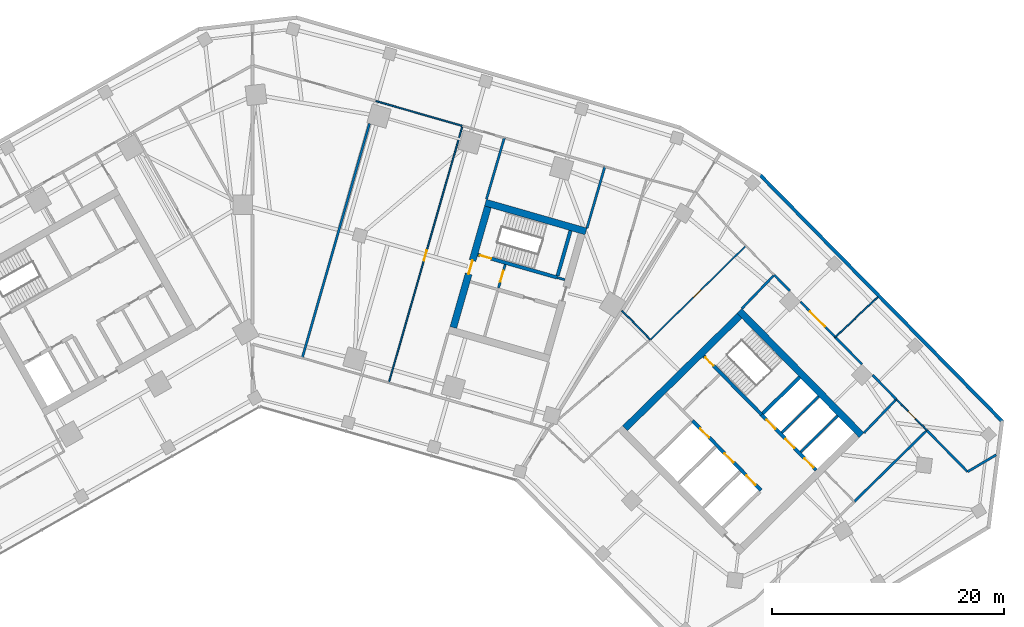
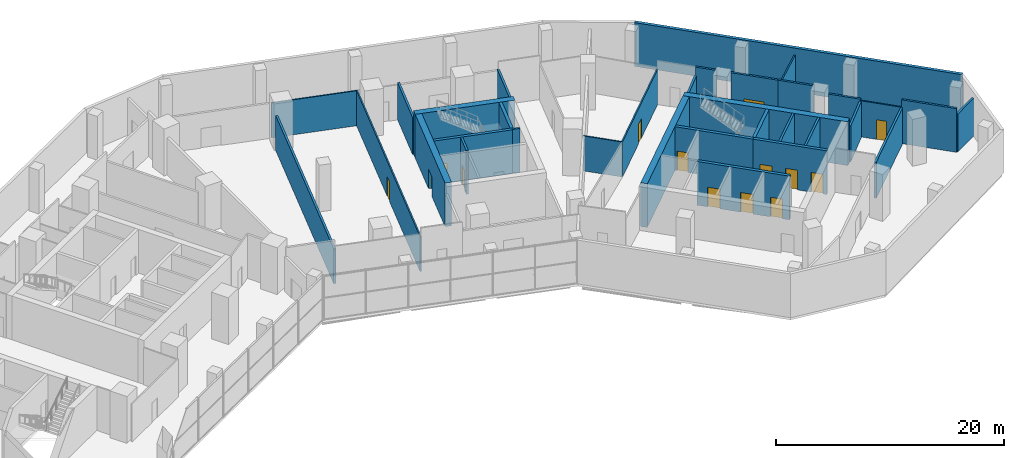
# One storey, part 12 of 16: 33 walls, 14 doors, 14 openings.
"""IFC4 building model written with IfcOpenShell, lengths in metres."""

import ifcopenshell
import ifcopenshell.guid

model = None  # the IFC model being written
_history = None  # IfcOwnerHistory: only IFC2X3 demands one
_inside = {}  # id of a spatial element -> (the spatial element, [elements in it])
_under = {}  # id of a project, library or spatial element -> (it, [spatial elements below it])
_declared = {}  # id of a project -> (the project, [libraries it declares])
_typed = {}  # id of a type object -> (the type object, [elements of that type])
_made_of = {}  # id of a material, layer set ... -> (it, [elements and type objects made of it])


def new_model(schema):
    """Start an empty IFC model of exactly this schema.

    Asked for "IFC4X3", IfcOpenShell would pick the latest addendum, in which some entities
    have other attributes; the version numbers below select the first issue.
    IFC2X3 requires an IfcOwnerHistory on every rooted entity: one is made here for all.
    """
    global model, _history
    if schema == "IFC4X3":
        model = ifcopenshell.file(schema_version=(4, 3, 0, 0))
    else:
        model = ifcopenshell.file(schema=schema)
    _inside.clear()
    _under.clear()
    _declared.clear()
    _typed.clear()
    _made_of.clear()
    _history = None
    if model.schema == "IFC2X3":
        org = make("IfcOrganization", Name="unknown")
        user = make(
            "IfcPersonAndOrganization",
            ThePerson=make("IfcPerson", FamilyName="unknown"),
            TheOrganization=org,
        )
        app = make(
            "IfcApplication",
            ApplicationDeveloper=org,
            Version="unknown",
            ApplicationFullName="unknown",
            ApplicationIdentifier="unknown",
        )
        _history = make(
            "IfcOwnerHistory",
            OwningUser=user,
            OwningApplication=app,
            ChangeAction="ADDED",
            CreationDate=0,
        )
    return model


def make(cls, **values):
    """One entity of the class cls with the attributes given. An attribute that is None is left unset."""
    return model.create_entity(
        cls, **{name: value for name, value in values.items() if value is not None}
    )


def rooted(cls, **values):
    """An entity with a GlobalId (a new one), such as an element, a storey or a relation."""
    return make(cls, GlobalId=ifcopenshell.guid.new(), OwnerHistory=_history, **values)


def si_unit(unit_type, name, prefix=None):
    """IfcSIUnit, for example si_unit("LENGTHUNIT", "METRE", prefix="MILLI")."""
    return make("IfcSIUnit", UnitType=unit_type, Prefix=prefix, Name=name)


def assignment(units):
    """IfcUnitAssignment: the units of a project."""
    return None if units is None else make("IfcUnitAssignment", Units=units)


def point(xyz):
    """IfcCartesianPoint."""
    return None if xyz is None else make("IfcCartesianPoint", Coordinates=xyz)


def direction(xyz):
    """IfcDirection."""
    return None if xyz is None else make("IfcDirection", DirectionRatios=xyz)


def frame(location, z_axis=None, x_axis=None):
    """IfcAxis2Placement3D, a coordinate frame: its origin and axes. An axis left out is left unset."""
    return make(
        "IfcAxis2Placement3D",
        Location=point(location),
        Axis=direction(z_axis),
        RefDirection=direction(x_axis),
    )


def frame_2d(location, x_axis=None):
    """IfcAxis2Placement2D, a coordinate frame in the plane: its origin and x axis."""
    return make(
        "IfcAxis2Placement2D", Location=point(location), RefDirection=direction(x_axis)
    )


def origin():
    """The frame at (0, 0, 0) with its axes left unset."""
    return frame((0.0, 0.0, 0.0))


def place(relative_to, where):
    """IfcLocalPlacement: puts the frame where relative to a parent placement (None: the world)."""
    return make(
        "IfcLocalPlacement", PlacementRelTo=relative_to, RelativePlacement=where
    )


def context(
    kind, dimensions, precision=None, world=None, true_north=None, identifier=None
):
    """IfcGeometricRepresentationContext, for example the 3D "Model" context."""
    return make(
        "IfcGeometricRepresentationContext",
        ContextIdentifier=identifier,
        ContextType=kind,
        CoordinateSpaceDimension=dimensions,
        Precision=precision,
        WorldCoordinateSystem=world,
        TrueNorth=true_north,
    )


def subcontext(parent, identifier, kind, view, scale=None):
    """IfcGeometricRepresentationSubContext, for example "Body" below "Model"."""
    return make(
        "IfcGeometricRepresentationSubContext",
        ContextIdentifier=identifier,
        ContextType=kind,
        ParentContext=parent,
        TargetScale=scale,
        TargetView=view,
    )


def project(units=None, contexts=None):
    """IfcProject with its units and contexts."""
    return rooted(
        "IfcProject",
        Name="project",
        RepresentationContexts=contexts,
        UnitsInContext=assignment(units),
    )


def spatial(cls, under=None, at=None, **own):
    """A site, building, storey or space (cls), placed at a placement, below another one or the project."""
    s = rooted(cls, ObjectPlacement=at, **own)
    if under is not None:
        _under.setdefault(under.id(), (under, []))[1].append(s)
    return s


def profile(cls, at=None, kind="AREA", **sizes):
    """A parametric profile (cls). Its sizes go by their IFC names, for example OverallWidth=200.0."""
    return make(cls, ProfileType=kind, Position=at, **sizes)


def rectangle(**sizes):
    """IfcRectangleProfileDef."""
    return profile("IfcRectangleProfileDef", **sizes)


def extrude(swept, where, along, depth):
    """IfcExtrudedAreaSolid: the profile swept, set in the frame where, extruded along a direction by depth."""
    return make(
        "IfcExtrudedAreaSolid",
        SweptArea=swept,
        Position=where,
        ExtrudedDirection=direction(along),
        Depth=depth,
    )


def shape(context_of_items, identifier, shape_type, items):
    """IfcShapeRepresentation: the items that make up one representation, for example the "Body"."""
    return make(
        "IfcShapeRepresentation",
        ContextOfItems=context_of_items,
        RepresentationIdentifier=identifier,
        RepresentationType=shape_type,
        Items=items,
    )


def material(Name=None, Category=None):
    """IfcMaterial."""
    return make("IfcMaterial", Name=Name, Category=Category)


def layer(
    of_material, thickness, ventilated=None, Name=None, Category=None, Priority=None
):
    """IfcMaterialLayer: one layer of a wall or slab, of a material (None: an air gap)."""
    return make(
        "IfcMaterialLayer",
        Material=of_material,
        LayerThickness=thickness,
        IsVentilated=ventilated,
        Name=Name,
        Category=Category,
        Priority=Priority,
    )


def layer_set(layers, Name=None):
    """IfcMaterialLayerSet."""
    return make("IfcMaterialLayerSet", MaterialLayers=layers, LayerSetName=Name)


def made_of(thing, what):
    """Note that an element or type object is made of a material, layer set ...; save() writes the relation."""
    if what is not None:
        _made_of.setdefault(what.id(), (what, []))[1].append(thing)
    return thing


def type_object(cls, material=None, **own):
    """A type object (cls), such as IfcWallType, which elements share."""
    return made_of(rooted(cls, **own), material)


def element(
    cls,
    number,
    at=None,
    inside=None,
    cuts=None,
    type_object=None,
    material=None,
    context=None,
    identifier="Body",
    shape_type=None,
    held_by="IfcProductDefinitionShape",
    body=None,
    shapes=None,
    **own,
):
    """One element of the class cls, such as IfcWall. Its Tag is "e" and its number.

    at: its placement. inside: the storey or other place that contains it. cuts: it is an
    opening in that element (IfcRelVoidsElement). A single representation is given by context,
    identifier, shape_type and body (its items); several are given by shapes. held_by: the class
    of the entity that holds the representations. save() writes the other relations.
    """
    e = rooted(cls, Tag="e%d" % number, ObjectPlacement=at, **own)
    if body is not None:
        shapes = [shape(context, identifier, shape_type, body)]
    if shapes is not None:
        e.Representation = make(held_by, Representations=shapes)
    if inside is not None:
        _inside.setdefault(inside.id(), (inside, []))[1].append(e)
    if cuts is not None:
        rooted(
            "IfcRelVoidsElement", RelatingBuildingElement=cuts, RelatedOpeningElement=e
        )
    if type_object is not None:
        _typed.setdefault(type_object.id(), (type_object, []))[1].append(e)
    return made_of(e, material)


def fill(opening, filler):
    """IfcRelFillsElement: the door or window that sits in an opening."""
    return rooted(
        "IfcRelFillsElement",
        RelatingOpeningElement=opening,
        RelatedBuildingElement=filler,
    )


def aggregate(whole, parts):
    """IfcRelAggregates: a whole, such as a stair, and the parts it consists of."""
    return rooted("IfcRelAggregates", RelatingObject=whole, RelatedObjects=parts)


def save(model, path):
    """Write the relations noted so far, then the file.

    IfcRelAggregates (storeys below a building ...), IfcRelContainedInSpatialStructure (elements
    in a storey), IfcRelDefinesByType, IfcRelAssociatesMaterial and IfcRelDeclares: one each for
    every whole, place, type object, material and project.
    """
    for whole, parts in _under.values():
        aggregate(whole, parts)
    for where, things in _inside.values():
        rooted(
            "IfcRelContainedInSpatialStructure",
            RelatedElements=things,
            RelatingStructure=where,
        )
    for kind, things in _typed.values():
        rooted("IfcRelDefinesByType", RelatedObjects=things, RelatingType=kind)
    for what, things in _made_of.values():
        rooted("IfcRelAssociatesMaterial", RelatedObjects=things, RelatingMaterial=what)
    for by, libraries in _declared.values():
        rooted("IfcRelDeclares", RelatingContext=by, RelatedDefinitions=libraries)
    model.write(path)


model = new_model("IFC4")

# Units and contexts
model_context = context("Model", 3, precision=1e-05, world=origin(), true_north=direction((0.0, 1.0)))
body_context = subcontext(model_context, "Body", "Model", "MODEL_VIEW")
ifc_project = project(units=[si_unit("LENGTHUNIT", "METRE"), si_unit("AREAUNIT", "SQUARE_METRE"), si_unit("VOLUMEUNIT", "CUBIC_METRE"), si_unit("PLANEANGLEUNIT", "RADIAN"), si_unit("MASSUNIT", "GRAM", prefix="KILO")], contexts=[model_context])

# Site, building, storey
site_placement = place(None, origin())
site = spatial("IfcSite", under=ifc_project, at=site_placement, CompositionType="ELEMENT")
building_placement = place(site_placement, origin())
building = spatial("IfcBuilding", under=site, at=building_placement, Name="Binnacle Exchange Tower", CompositionType="ELEMENT")
storey_placement = place(building_placement, frame((0.0, 0.0, 21.5)))
storey = spatial("IfcBuildingStorey", under=building, at=storey_placement, Name="L04", CompositionType="ELEMENT", Elevation=21.5)

# Wall, openings, doors
ifc_material_1 = material(Name="Concrete C70/85", Category="concrete")
ifc_layer_1 = layer(ifc_material_1, 0.300048828125)
ifc_layer_set_1 = layer_set([ifc_layer_1], Name="Core wall - front 300")
wall_type_1 = type_object("IfcWallType", Name="Core wall - front 300", PredefinedType="SOLIDWALL", material=ifc_layer_set_1)
wall_1_placement = place(storey_placement, frame((37.8740234375, 41.41552734375, 0.0), z_axis=(0.0, 0.0, 1.0), x_axis=(0.700918271237, -0.71324159795, 0.0)))
wall_1 = element("IfcWall", 1, at=wall_1_placement, inside=storey, type_object=wall_type_1, Name="Core wall CRWB3", PredefinedType="SOLIDWALL", context=body_context, shape_type="SweptSolid", body=[
    extrude(rectangle(XDim=8.39990234375, YDim=0.300048828125, at=frame_2d((4.199951171875, 0.0))), origin(), (0.0, 0.0, 1.0), 4.679931640625),
])
opening_1_placement = place(wall_1_placement, frame((0.949951171875, 0.0, 0.0)))
opening_1 = element("IfcOpeningElement", 2, at=opening_1_placement, cuts=wall_1, Name="Opening LD15", PredefinedType="OPENING", context=body_context, shape_type="SweptSolid", body=[
    extrude(rectangle(XDim=1.10009765625, YDim=2.10009765625, at=frame_2d((0.550048828125, 1.050048828125))), frame((0.0, 0.159912109375, 0.0), z_axis=(0.0, -1.0, 0.0), x_axis=(1.0, 0.0, 0.0)), (0.0, 0.0, 1.0), 0.320068359375),
])
opening_2_placement = place(wall_1_placement, frame((3.949951171875, 0.0, 0.0)))
opening_2 = element("IfcOpeningElement", 3, at=opening_2_placement, cuts=wall_1, Name="Opening LD16", PredefinedType="OPENING", context=body_context, shape_type="SweptSolid", body=[
    extrude(rectangle(XDim=1.10009765625, YDim=2.10009765625, at=frame_2d((0.550048828125, 1.050048828125))), frame((0.0, 0.159912109375, 0.0), z_axis=(0.0, -1.0, 0.0), x_axis=(1.0, 0.0, 0.0)), (0.0, 0.0, 1.0), 0.320068359375),
])
opening_3_placement = place(wall_1_placement, frame((6.64990234375, 0.0, 0.0)))
opening_3 = element("IfcOpeningElement", 4, at=opening_3_placement, cuts=wall_1, Name="Opening LD4", PredefinedType="OPENING", context=body_context, shape_type="SweptSolid", body=[
    extrude(rectangle(XDim=1.10009765625, YDim=2.10009765625, at=frame_2d((0.550048828125, 1.050048828125))), frame((0.0, 0.159912109375, 0.0), z_axis=(0.0, -1.0, 0.0), x_axis=(1.0, 0.0, 0.0)), (0.0, 0.0, 1.0), 0.320068359375),
])
ifc_material_2 = material(Name="Steel door leaf", Category="steel")
door_type_1 = type_object("IfcDoorType", Name="Fire door - lift landing 1100", OperationType="NOTDEFINED", PredefinedType="DOOR", material=ifc_material_2)
door_1_placement = place(opening_1_placement, origin())
door_1 = element("IfcDoor", 5, at=door_1_placement, inside=storey, type_object=door_type_1, Name="Landing door LD15 L04", OperationType="DOUBLE_DOOR_SLIDING", OverallHeight=2.10009765625, OverallWidth=1.10009765625, PredefinedType="DOOR", context=body_context, shape_type="SweptSolid", body=[
    extrude(rectangle(XDim=1.10009765625, YDim=2.10009765625, at=frame_2d((0.550048828125, 1.050048828125))), frame((0.0, 0.02490234375, 0.0), z_axis=(0.0, -1.0, 0.0), x_axis=(1.0, 0.0, 0.0)), (0.0, 0.0, 1.0), 0.050048828125),
])
fill(opening_1, door_1)
door_2_placement = place(opening_2_placement, origin())
door_2 = element("IfcDoor", 6, at=door_2_placement, inside=storey, type_object=door_type_1, Name="Landing door LD16 L04", OperationType="DOUBLE_DOOR_SLIDING", OverallHeight=2.10009765625, OverallWidth=1.10009765625, PredefinedType="DOOR", context=body_context, shape_type="SweptSolid", body=[
    extrude(rectangle(XDim=1.10009765625, YDim=2.10009765625, at=frame_2d((0.550048828125, 1.050048828125))), frame((0.0, 0.02490234375, 0.0), z_axis=(0.0, -1.0, 0.0), x_axis=(1.0, 0.0, 0.0)), (0.0, 0.0, 1.0), 0.050048828125),
])
fill(opening_2, door_2)
door_3_placement = place(opening_3_placement, origin())
door_3 = element("IfcDoor", 7, at=door_3_placement, inside=storey, type_object=door_type_1, Name="Landing door LD4 L04", OperationType="DOUBLE_DOOR_SLIDING", OverallHeight=2.10009765625, OverallWidth=1.10009765625, PredefinedType="DOOR", context=body_context, shape_type="SweptSolid", body=[
    extrude(rectangle(XDim=1.10009765625, YDim=2.10009765625, at=frame_2d((0.550048828125, 1.050048828125))), frame((0.0, 0.02490234375, 0.0), z_axis=(0.0, -1.0, 0.0), x_axis=(1.0, 0.0, 0.0)), (0.0, 0.0, 1.0), 0.050048828125),
])
fill(opening_3, door_3)

wall_2_placement = place(storey_placement, frame((43.818603515625, 41.92919921875, 0.0), z_axis=(0.0, 0.0, 1.0), x_axis=(0.700921619155, -0.713238307862, 0.0)))
wall_2 = element("IfcWall", 8, at=wall_2_placement, inside=storey, type_object=wall_type_1, Name="Core wall CRWB5", PredefinedType="SOLIDWALL", context=body_context, shape_type="SweptSolid", body=[
    extrude(rectangle(XDim=6.69970703125, YDim=0.300048828125, at=frame_2d((3.349853515625, 0.0))), origin(), (0.0, 0.0, 1.0), 4.679931640625),
])
opening_4_placement = place(wall_2_placement, frame((0.614990234375, 0.0, 0.0)))
opening_4 = element("IfcOpeningElement", 9, at=opening_4_placement, cuts=wall_2, Name="Opening LD1", PredefinedType="OPENING", context=body_context, shape_type="SweptSolid", body=[
    extrude(rectangle(XDim=1.10009765625, YDim=2.10009765625, at=frame_2d((0.550048828125, 1.050048828125))), frame((0.0, 0.159912109375, 0.0), z_axis=(0.0, -1.0, 0.0), x_axis=(1.0, 0.0, 0.0)), (0.0, 0.0, 1.0), 0.320068359375),
])
opening_5_placement = place(wall_2_placement, frame((2.945068359375, 0.0, 0.0)))
opening_5 = element("IfcOpeningElement", 10, at=opening_5_placement, cuts=wall_2, Name="Opening LD2", PredefinedType="OPENING", context=body_context, shape_type="SweptSolid", body=[
    extrude(rectangle(XDim=1.10009765625, YDim=2.10009765625, at=frame_2d((0.550048828125, 1.050048828125))), frame((0.0, 0.159912109375, 0.0), z_axis=(0.0, -1.0, 0.0), x_axis=(1.0, 0.0, 0.0)), (0.0, 0.0, 1.0), 0.320068359375),
])
opening_6_placement = place(wall_2_placement, frame((5.280029296875, 0.0, 0.0)))
opening_6 = element("IfcOpeningElement", 11, at=opening_6_placement, cuts=wall_2, Name="Opening LD3", PredefinedType="OPENING", context=body_context, shape_type="SweptSolid", body=[
    extrude(rectangle(XDim=1.10009765625, YDim=2.10009765625, at=frame_2d((0.550048828125, 1.050048828125))), frame((0.0, 0.159912109375, 0.0), z_axis=(0.0, -1.0, 0.0), x_axis=(1.0, 0.0, 0.0)), (0.0, 0.0, 1.0), 0.320068359375),
])
door_4_placement = place(opening_4_placement, origin())
door_4 = element("IfcDoor", 12, at=door_4_placement, inside=storey, type_object=door_type_1, Name="Landing door LD1 L04", OperationType="DOUBLE_DOOR_SLIDING", OverallHeight=2.10009765625, OverallWidth=1.10009765625, PredefinedType="DOOR", context=body_context, shape_type="SweptSolid", body=[
    extrude(rectangle(XDim=1.10009765625, YDim=2.10009765625, at=frame_2d((0.550048828125, 1.050048828125))), frame((0.0, 0.02490234375, 0.0), z_axis=(0.0, -1.0, 0.0), x_axis=(1.0, 0.0, 0.0)), (0.0, 0.0, 1.0), 0.050048828125),
])
fill(opening_4, door_4)
door_5_placement = place(opening_5_placement, origin())
door_5 = element("IfcDoor", 13, at=door_5_placement, inside=storey, type_object=door_type_1, Name="Landing door LD2 L04", OperationType="DOUBLE_DOOR_SLIDING", OverallHeight=2.10009765625, OverallWidth=1.10009765625, PredefinedType="DOOR", context=body_context, shape_type="SweptSolid", body=[
    extrude(rectangle(XDim=1.10009765625, YDim=2.10009765625, at=frame_2d((0.550048828125, 1.050048828125))), frame((0.0, 0.02490234375, 0.0), z_axis=(0.0, -1.0, 0.0), x_axis=(1.0, 0.0, 0.0)), (0.0, 0.0, 1.0), 0.050048828125),
])
fill(opening_5, door_5)
door_6_placement = place(opening_6_placement, origin())
door_6 = element("IfcDoor", 14, at=door_6_placement, inside=storey, type_object=door_type_1, Name="Landing door LD3 L04", OperationType="DOUBLE_DOOR_SLIDING", OverallHeight=2.10009765625, OverallWidth=1.10009765625, PredefinedType="DOOR", context=body_context, shape_type="SweptSolid", body=[
    extrude(rectangle(XDim=1.10009765625, YDim=2.10009765625, at=frame_2d((0.550048828125, 1.050048828125))), frame((0.0, 0.02490234375, 0.0), z_axis=(0.0, -1.0, 0.0), x_axis=(1.0, 0.0, 0.0)), (0.0, 0.0, 1.0), 0.050048828125),
])
fill(opening_6, door_6)

# Walls
ifc_layer_2 = layer(ifc_material_1, 0.60009765625)
ifc_layer_set_2 = layer_set([ifc_layer_2], Name="Core wall - outer 600")
wall_type_2 = type_object("IfcWallType", Name="Core wall - outer 600", PredefinedType="SOLIDWALL", material=ifc_layer_set_2)
wall_3_placement = place(storey_placement, frame((41.91650390625, 50.855712890625, 0.0), z_axis=(0.0, 0.0, 1.0), x_axis=(0.700911255944, -0.713248491965, 0.0)))
element("IfcWall", 15, at=wall_3_placement, inside=storey, type_object=wall_type_2, Name="Core wall CRWB6", PredefinedType="SOLIDWALL", context=body_context, shape_type="SweptSolid", body=[
    extrude(rectangle(XDim=15.0, YDim=0.60009765625, at=frame_2d((7.5, 0.0))), origin(), (0.0, 0.0, 1.0), 4.679931640625),
])
wall_4_placement = place(storey_placement, frame((32.06982421875, 40.759033203125, 0.0), z_axis=(0.0, 0.0, 1.0), x_axis=(0.713245344712, 0.70091445858, 0.0)))
element("IfcWall", 16, at=wall_4_placement, inside=storey, type_object=wall_type_2, Name="Core wall CRWB7", PredefinedType="SOLIDWALL", context=body_context, shape_type="SweptSolid", body=[
    extrude(rectangle(XDim=13.800048828125, YDim=0.60009765625, at=frame_2d((6.89990234375, 0.0))), origin(), (0.0, 0.0, 1.0), 4.679931640625),
])
wall_5_placement = place(storey_placement, frame((20.052734375, 60.1796875, 0.0), z_axis=(0.0, 0.0, 1.0), x_axis=(0.96126248289, -0.275634611374, 0.0)))
element("IfcWall", 17, at=wall_5_placement, inside=storey, type_object=wall_type_2, Name="Core wall CRWD6", PredefinedType="SOLIDWALL", context=body_context, shape_type="SweptSolid", body=[
    extrude(rectangle(XDim=9.0, YDim=0.60009765625, at=frame_2d((4.5, 0.0))), origin(), (0.0, 0.0, 1.0), 4.679931640625),
])

# Wall, opening, door
wall_6_placement = place(storey_placement, frame((17.28173828125, 49.427001953125, 0.0), z_axis=(0.0, 0.0, 1.0), x_axis=(0.275631631629, 0.961263337304, 0.0)))
wall_6 = element("IfcWall", 18, at=wall_6_placement, inside=storey, type_object=wall_type_2, Name="Core wall CRWD7", PredefinedType="SOLIDWALL", context=body_context, shape_type="SweptSolid", body=[
    extrude(rectangle(XDim=10.800048828125, YDim=0.60009765625, at=frame_2d((5.39990234375, 0.0))), origin(), (0.0, 0.0, 1.0), 4.679931640625),
])
opening_7_placement = place(wall_6_placement, frame((4.800048828125, 0.0, 0.0)))
opening_7 = element("IfcOpeningElement", 19, at=opening_7_placement, cuts=wall_6, Name="Opening DD5", PredefinedType="OPENING", context=body_context, shape_type="SweptSolid", body=[
    extrude(rectangle(XDim=1.199951171875, YDim=2.10009765625, at=frame_2d((0.60009765625, 1.050048828125))), frame((0.0, 0.31005859375, 0.0), z_axis=(0.0, -1.0, 0.0), x_axis=(1.0, 0.0, 0.0)), (0.0, 0.0, 1.0), 0.6201171875),
])
door_type_2 = type_object("IfcDoorType", Name="Fire door 1200", OperationType="NOTDEFINED", PredefinedType="DOOR", material=ifc_material_2)
door_7_placement = place(opening_7_placement, origin())
door_7 = element("IfcDoor", 20, at=door_7_placement, inside=storey, type_object=door_type_2, Name="Vestibule exit door VEST-W", OperationType="SINGLE_SWING_RIGHT", OverallHeight=2.10009765625, OverallWidth=1.199951171875, PredefinedType="DOOR", context=body_context, shape_type="SweptSolid", body=[
    extrude(rectangle(XDim=1.199951171875, YDim=2.10009765625, at=frame_2d((0.60009765625, 1.050048828125))), frame((0.0, 0.02490234375, 0.0), z_axis=(0.0, -1.0, 0.0), x_axis=(1.0, 0.0, 0.0)), (0.0, 0.0, 1.0), 0.050048828125),
])
fill(opening_7, door_7)

ifc_layer_3 = layer(ifc_material_1, 0.300048828125)
ifc_layer_set_3 = layer_set([ifc_layer_3], Name="Core wall - stair 300")
wall_type_3 = type_object("IfcWallType", Name="Core wall - stair 300", PredefinedType="SOLIDWALL", material=ifc_layer_set_3)
wall_7_placement = place(storey_placement, frame((38.842041015625, 46.993408203125, 0.0), z_axis=(0.0, 0.0, 1.0), x_axis=(0.700907701701, -0.713251984713, 0.0)))
wall_7 = element("IfcWall", 21, at=wall_7_placement, inside=storey, type_object=wall_type_3, Name="Core wall CRWB4", PredefinedType="SOLIDWALL", context=body_context, shape_type="SweptSolid", body=[
    extrude(rectangle(XDim=7.10009765625, YDim=0.300048828125, at=frame_2d((3.550048828125, 0.0))), origin(), (0.0, 0.0, 1.0), 4.679931640625),
])
opening_8_placement = place(wall_7_placement, frame((0.199951171875, 0.0, 0.0)))
opening_8 = element("IfcOpeningElement", 22, at=opening_8_placement, cuts=wall_7, Name="Opening DB1", PredefinedType="OPENING", context=body_context, shape_type="SweptSolid", body=[
    extrude(rectangle(XDim=1.0, YDim=2.10009765625, at=frame_2d((0.5, 1.050048828125))), frame((0.0, 0.159912109375, 0.0), z_axis=(0.0, -1.0, 0.0), x_axis=(1.0, 0.0, 0.0)), (0.0, 0.0, 1.0), 0.320068359375),
])
door_type_3 = type_object("IfcDoorType", Name="Fire door 1000", OperationType="NOTDEFINED", PredefinedType="DOOR", material=ifc_material_2)
door_8_placement = place(opening_8_placement, origin())
door_8 = element("IfcDoor", 23, at=door_8_placement, inside=storey, type_object=door_type_3, Name="Stair door ST-B1", OperationType="SINGLE_SWING_LEFT", OverallHeight=2.10009765625, OverallWidth=1.0, PredefinedType="DOOR", context=body_context, shape_type="SweptSolid", body=[
    extrude(rectangle(XDim=1.0, YDim=2.10009765625, at=frame_2d((0.5, 1.050048828125))), frame((0.0, 0.02490234375, 0.0), z_axis=(0.0, -1.0, 0.0), x_axis=(1.0, 0.0, 0.0)), (0.0, 0.0, 1.0), 0.050048828125),
])
fill(opening_8, door_8)

# Wall
wall_8_placement = place(storey_placement, frame((43.925537109375, 42.034423828125, 0.0), z_axis=(0.0, 0.0, 1.0), x_axis=(0.713251741427, 0.700907949271, 0.0)))
element("IfcWall", 24, at=wall_8_placement, inside=storey, type_object=wall_type_3, Name="Core wall CRWB11", PredefinedType="SOLIDWALL", context=body_context, shape_type="SweptSolid", body=[
    extrude(rectangle(XDim=4.4501953125, YDim=0.300048828125, at=frame_2d((2.22509765625, 0.0))), origin(), (0.0, 0.0, 1.0), 4.679931640625),
])

# Wall, opening, door
wall_9_placement = place(storey_placement, frame((19.38916015625, 55.688720703125, 0.0), z_axis=(0.0, 0.0, 1.0), x_axis=(0.961261397636, -0.275638396117, 0.0)))
wall_9 = element("IfcWall", 25, at=wall_9_placement, inside=storey, type_object=wall_type_3, Name="Core wall CRWD4", PredefinedType="SOLIDWALL", context=body_context, shape_type="SweptSolid", body=[
    extrude(rectangle(XDim=7.10009765625, YDim=0.300048828125, at=frame_2d((3.550048828125, 0.0))), origin(), (0.0, 0.0, 1.0), 4.679931640625),
])
opening_9_placement = place(wall_9_placement, frame((0.199951171875, 0.0, 0.0)))
opening_9 = element("IfcOpeningElement", 26, at=opening_9_placement, cuts=wall_9, Name="Opening DD1", PredefinedType="OPENING", context=body_context, shape_type="SweptSolid", body=[
    extrude(rectangle(XDim=1.0, YDim=2.10009765625, at=frame_2d((0.5, 1.050048828125))), frame((0.0, 0.159912109375, 0.0), z_axis=(0.0, -1.0, 0.0), x_axis=(1.0, 0.0, 0.0)), (0.0, 0.0, 1.0), 0.320068359375),
])
door_9_placement = place(opening_9_placement, origin())
door_9 = element("IfcDoor", 27, at=door_9_placement, inside=storey, type_object=door_type_3, Name="Stair door ST-D1", OperationType="SINGLE_SWING_LEFT", OverallHeight=2.10009765625, OverallWidth=1.0, PredefinedType="DOOR", context=body_context, shape_type="SweptSolid", body=[
    extrude(rectangle(XDim=1.0, YDim=2.10009765625, at=frame_2d((0.5, 1.050048828125))), frame((0.0, 0.02490234375, 0.0), z_axis=(0.0, -1.0, 0.0), x_axis=(1.0, 0.0, 0.0)), (0.0, 0.0, 1.0), 0.050048828125),
])
fill(opening_9, door_9)

# Walls
wall_10_placement = place(storey_placement, frame((26.255615234375, 53.875732421875, 0.0), z_axis=(0.0, 0.0, 1.0), x_axis=(0.275612739511, 0.961268754209, 0.0)))
element("IfcWall", 28, at=wall_10_placement, inside=storey, type_object=wall_type_3, Name="Core wall CRWD11", PredefinedType="SOLIDWALL", context=body_context, shape_type="SweptSolid", body=[
    extrude(rectangle(XDim=4.0498046875, YDim=0.300048828125, at=frame_2d((2.02490234375, 0.0))), origin(), (0.0, 0.0, 1.0), 4.679931640625),
])
ifc_material_3 = material(Name="Bronze aluminium louvre", Category="aluminium")
ifc_layer_4 = layer(ifc_material_3, 0.300048828125)
ifc_layer_set_4 = layer_set([ifc_layer_4], Name="External wall - podium louvre 300")
wall_type_4 = type_object("IfcWallType", Name="External wall - podium louvre 300", PredefinedType="STANDARD", material=ifc_layer_set_4)
wall_11_placement = place(storey_placement, frame((43.706298828125, 62.54296875, 0.0), z_axis=(0.0, 0.0, 1.0), x_axis=(0.700910890875, -0.713248850719, 0.0)))
element("IfcWall", 29, at=wall_11_placement, inside=storey, type_object=wall_type_4, Name="External wall EW-P12 L04", PredefinedType="STANDARD", context=body_context, shape_type="SweptSolid", body=[
    extrude(rectangle(XDim=29.780517578125, YDim=0.300048828125, at=frame_2d((14.89013671875, 0.0))), origin(), (0.0, 0.0, 1.0), 4.679931640625),
])
ifc_material_4 = material(Name="Masonry block wall", Category="masonry")
ifc_layer_5 = layer(ifc_material_4, 0.199951171875)
ifc_layer_set_5 = layer_set([ifc_layer_5], Name="Fire wall - block 200")
wall_type_5 = type_object("IfcWallType", Name="Fire wall - block 200", PredefinedType="PARTITIONING", material=ifc_layer_set_5)
wall_12_placement = place(storey_placement, frame((4.280029296875, 46.80908203125, 0.0), z_axis=(0.0, 0.0, 1.0), x_axis=(0.27566906052, 0.961252604195, 0.0)))
element("IfcWall", 30, at=wall_12_placement, inside=storey, type_object=wall_type_5, Name="Partition W48", PredefinedType="PARTITIONING", context=body_context, shape_type="SweptSolid", body=[
    extrude(rectangle(XDim=20.985107421875, YDim=0.199951171875, at=frame_2d((10.49267578125, 0.0))), origin(), (0.0, 0.0, 1.0), 3.741943359375),
])
wall_13_placement = place(storey_placement, frame((20.135986328125, 60.468017578125, 0.0), z_axis=(0.0, 0.0, 1.0), x_axis=(0.279630121779, 0.96010780384, 0.0)))
element("IfcWall", 31, at=wall_13_placement, inside=storey, type_object=wall_type_5, Name="Partition W56", PredefinedType="PARTITIONING", context=body_context, shape_type="SweptSolid", body=[
    extrude(rectangle(XDim=5.50048828125, YDim=0.199951171875, at=frame_2d((2.750244140625, 0.0))), origin(), (0.0, 0.0, 1.0), 3.9599609375),
])
wall_14_placement = place(storey_placement, frame((28.787109375, 57.987060546875, 0.0), z_axis=(0.0, 0.0, 1.0), x_axis=(0.279752860161, 0.960072047938, 0.0)))
element("IfcWall", 32, at=wall_14_placement, inside=storey, type_object=wall_type_5, Name="Partition W66", PredefinedType="PARTITIONING", context=body_context, shape_type="SweptSolid", body=[
    extrude(rectangle(XDim=5.500732421875, YDim=0.199951171875, at=frame_2d((2.75048828125, 0.0))), origin(), (0.0, 0.0, 1.0), 3.85205078125),
])
wall_15_placement = place(storey_placement, frame((42.1298828125, 51.06591796875, 0.0), z_axis=(0.0, 0.0, 1.0), x_axis=(0.693124563472, 0.720817826855, 0.0)))
element("IfcWall", 33, at=wall_15_placement, inside=storey, type_object=wall_type_5, Name="Partition W77", PredefinedType="PARTITIONING", context=body_context, shape_type="SweptSolid", body=[
    extrude(rectangle(XDim=4.00244140625, YDim=0.199951171875, at=frame_2d((2.001220703125, 0.0))), origin(), (0.0, 0.0, 1.0), 3.760009765625),
])
wall_16_placement = place(storey_placement, frame((44.904052734375, 53.950927734375, 0.0), z_axis=(0.0, 0.0, 1.0), x_axis=(0.7008501288, -0.713308556629, 0.0)))
element("IfcWall", 34, at=wall_16_placement, inside=storey, type_object=wall_type_5, Name="Partition W80", PredefinedType="PARTITIONING", context=body_context, shape_type="SweptSolid", body=[
    extrude(rectangle(XDim=1.92041015625, YDim=0.199951171875, at=frame_2d((0.960205078125, 0.0))), origin(), (0.0, 0.0, 1.0), 4.679931640625),
])

# Wall, opening, door
wall_17_placement = place(storey_placement, frame((47.162109375, 51.654052734375, 0.0), z_axis=(0.0, 0.0, 1.0), x_axis=(0.700745868246, -0.713410981228, 0.0)))
wall_17 = element("IfcWall", 35, at=wall_17_placement, inside=storey, type_object=wall_type_5, Name="Partition W81", PredefinedType="PARTITIONING", context=body_context, shape_type="SweptSolid", body=[
    extrude(rectangle(XDim=4.279296875, YDim=0.199951171875, at=frame_2d((2.1396484375, 0.0))), origin(), (0.0, 0.0, 1.0), 4.679931640625),
])
opening_10_placement = place(wall_17_placement, frame((1.199951171875, 0.0, 0.0)))
opening_10 = element("IfcOpeningElement", 36, at=opening_10_placement, cuts=wall_17, Name="Opening DL03-30", PredefinedType="OPENING", context=body_context, shape_type="SweptSolid", body=[
    extrude(rectangle(XDim=1.800048828125, YDim=2.10009765625, at=frame_2d((0.89990234375, 1.050048828125))), frame((0.0, 0.10986328125, 0.0), z_axis=(0.0, -1.0, 0.0), x_axis=(1.0, 0.0, 0.0)), (0.0, 0.0, 1.0), 0.219970703125),
])
door_type_4 = type_object("IfcDoorType", Name="Fire door 1800", OperationType="NOTDEFINED", PredefinedType="DOOR", material=ifc_material_2)
door_10_placement = place(opening_10_placement, frame((1.800048828125, 0.0, 0.0), z_axis=(0.0, 0.0, 1.0), x_axis=(-1.0, 0.0, 0.0)))
door_10 = element("IfcDoor", 37, at=door_10_placement, inside=storey, type_object=door_type_4, Name="Door DL03-30", OperationType="DOUBLE_DOOR_SINGLE_SWING", OverallHeight=2.10009765625, OverallWidth=1.800048828125, PredefinedType="DOOR", context=body_context, shape_type="SweptSolid", body=[
    extrude(rectangle(XDim=1.800048828125, YDim=2.10009765625, at=frame_2d((0.89990234375, 1.050048828125))), frame((0.0, 0.02490234375, 0.0), z_axis=(0.0, -1.0, 0.0), x_axis=(1.0, 0.0, 0.0)), (0.0, 0.0, 1.0), 0.050048828125),
])
fill(opening_10, door_10)

# Walls
wall_18_placement = place(storey_placement, frame((50.160888671875, 48.60107421875, 0.0), z_axis=(0.0, 0.0, 1.0), x_axis=(0.701000458272, -0.713160821626, 0.0)))
element("IfcWall", 38, at=wall_18_placement, inside=storey, type_object=wall_type_5, Name="Partition W83", PredefinedType="PARTITIONING", context=body_context, shape_type="SweptSolid", body=[
    extrude(rectangle(XDim=3.29248046875, YDim=0.199951171875, at=frame_2d((1.646240234375, 0.0))), origin(), (0.0, 0.0, 1.0), 4.679931640625),
])
wall_19_placement = place(storey_placement, frame((51.804931640625, 34.444091796875, 0.0), z_axis=(0.0, 0.0, 1.0), x_axis=(0.713260075739, 0.700899468081, 0.0)))
element("IfcWall", 39, at=wall_19_placement, inside=storey, type_object=wall_type_5, Name="Partition W85", PredefinedType="PARTITIONING", context=body_context, shape_type="SweptSolid", body=[
    extrude(rectangle(XDim=8.75, YDim=0.199951171875, at=frame_2d((4.375, 0.0))), origin(), (0.0, 0.0, 1.0), 3.860107421875),
])
wall_20_placement = place(storey_placement, frame((52.64404296875, 40.366943359375, 0.0), z_axis=(0.0, 0.0, 1.0), x_axis=(0.693092868026, 0.720848303245, 0.0)))
element("IfcWall", 40, at=wall_20_placement, inside=storey, type_object=wall_type_5, Name="Partition W86", PredefinedType="PARTITIONING", context=body_context, shape_type="SweptSolid", body=[
    extrude(rectangle(XDim=4.002197265625, YDim=0.199951171875, at=frame_2d((2.0009765625, 0.0))), origin(), (0.0, 0.0, 1.0), 3.860107421875),
])
wall_21_placement = place(storey_placement, frame((53.3798828125, 45.325927734375, 0.0), z_axis=(0.0, 0.0, 1.0), x_axis=(0.700908698341, -0.71325100532, 0.0)))
element("IfcWall", 41, at=wall_21_placement, inside=storey, type_object=wall_type_5, Name="Partition W87", PredefinedType="PARTITIONING", context=body_context, shape_type="SweptSolid", body=[
    extrude(rectangle(XDim=2.90771484375, YDim=0.199951171875, at=frame_2d((1.453857421875, 0.0))), origin(), (0.0, 0.0, 1.0), 4.053955078125),
])
wall_22_placement = place(storey_placement, frame((58.0458984375, 40.576904296875, 0.0), z_axis=(0.0, 0.0, 1.0), x_axis=(0.700902402088, -0.713257192566, 0.0)))
element("IfcWall", 42, at=wall_22_placement, inside=storey, type_object=wall_type_5, Name="Partition W89", PredefinedType="PARTITIONING", context=body_context, shape_type="SweptSolid", body=[
    extrude(rectangle(XDim=4.99951171875, YDim=0.199951171875, at=frame_2d((2.499755859375, 0.0))), origin(), (0.0, 0.0, 1.0), 4.679931640625),
])
wall_23_placement = place(storey_placement, frame((61.550048828125, 37.010986328125, 0.0), z_axis=(0.0, 0.0, 1.0), x_axis=(0.86118844999, 0.508285799136, 0.0)))
element("IfcWall", 43, at=wall_23_placement, inside=storey, type_object=wall_type_5, Name="Partition W90", PredefinedType="PARTITIONING", context=body_context, shape_type="SweptSolid", body=[
    extrude(rectangle(XDim=2.8564453125, YDim=0.199951171875, at=frame_2d((1.42822265625, 0.0))), origin(), (0.0, 0.0, 1.0), 4.053955078125),
])

# Wall, opening, door
ifc_layer_6 = layer(ifc_material_4, 0.199951171875)
ifc_layer_set_6 = layer_set([ifc_layer_6], Name="Fire wall - vestibule 200")
wall_type_6 = type_object("IfcWallType", Name="Fire wall - vestibule 200", PredefinedType="PARTITIONING", material=ifc_layer_set_6)
wall_24_placement = place(storey_placement, frame((21.172119140625, 52.836669921875, 0.0), z_axis=(0.0, 0.0, 1.0), x_axis=(0.275657676022, 0.961255868981, 0.0)))
wall_24 = element("IfcWall", 44, at=wall_24_placement, inside=storey, type_object=wall_type_6, Name="Core wall CRWD9", PredefinedType="PARTITIONING", context=body_context, shape_type="SweptSolid", body=[
    extrude(rectangle(XDim=2.099853515625, YDim=0.199951171875, at=frame_2d((1.0498046875, 0.0))), origin(), (0.0, 0.0, 1.0), 4.679931640625),
])
opening_11_placement = place(wall_24_placement, frame((0.550048828125, 0.0, 0.0)))
opening_11 = element("IfcOpeningElement", 45, at=opening_11_placement, cuts=wall_24, Name="Opening DD3", PredefinedType="OPENING", context=body_context, shape_type="SweptSolid", body=[
    extrude(rectangle(XDim=1.0, YDim=2.10009765625, at=frame_2d((0.5, 1.050048828125))), frame((0.0, 0.10986328125, 0.0), z_axis=(0.0, -1.0, 0.0), x_axis=(1.0, 0.0, 0.0)), (0.0, 0.0, 1.0), 0.219970703125),
])
door_11_placement = place(opening_11_placement, origin())
door_11 = element("IfcDoor", 46, at=door_11_placement, inside=storey, type_object=door_type_3, Name="Vestibule door VEST-W", OperationType="SINGLE_SWING_RIGHT", OverallHeight=2.10009765625, OverallWidth=1.0, PredefinedType="DOOR", context=body_context, shape_type="SweptSolid", body=[
    extrude(rectangle(XDim=1.0, YDim=2.10009765625, at=frame_2d((0.5, 1.050048828125))), frame((0.0, 0.02490234375, 0.0), z_axis=(0.0, -1.0, 0.0), x_axis=(1.0, 0.0, 0.0)), (0.0, 0.0, 1.0), 0.050048828125),
])
fill(opening_11, door_11)

# Wall
ifc_material_5 = material(Name="Gypsum partition")
ifc_layer_7 = layer(ifc_material_5, 0.125)
ifc_layer_set_7 = layer_set([ifc_layer_7], Name="Partition 125")
wall_type_7 = type_object("IfcWallType", Name="Partition 125", PredefinedType="PARTITIONING", material=ifc_layer_set_7)
wall_25_placement = place(storey_placement, frame((10.6201171875, 68.91796875, 0.0), z_axis=(0.0, 0.0, 1.0), x_axis=(0.961260764876, -0.275640602796, 0.0)))
element("IfcWall", 47, at=wall_25_placement, inside=storey, type_object=wall_type_7, Name="Partition W50", PredefinedType="PARTITIONING", context=body_context, shape_type="SweptSolid", body=[
    extrude(rectangle(XDim=7.749267578125, YDim=0.125, at=frame_2d((3.87451171875, 0.0))), origin(), (0.0, 0.0, 1.0), 3.741943359375),
])

# Wall, opening, door
wall_26_placement = place(storey_placement, frame((11.72998046875, 44.673095703125, 0.0), z_axis=(0.0, 0.0, 1.0), x_axis=(0.275616869382, 0.961267570093, 0.0)))
wall_26 = element("IfcWall", 48, at=wall_26_placement, inside=storey, type_object=wall_type_7, Name="Partition W52", PredefinedType="PARTITIONING", context=body_context, shape_type="SweptSolid", body=[
    extrude(rectangle(XDim=22.999755859375, YDim=0.125, at=frame_2d((11.5, 0.0))), origin(), (0.0, 0.0, 1.0), 3.741943359375),
])
opening_12_placement = place(wall_26_placement, frame((10.949951171875, 0.0, 0.0)))
opening_12 = element("IfcOpeningElement", 49, at=opening_12_placement, cuts=wall_26, Name="Opening DL03-19", PredefinedType="OPENING", context=body_context, shape_type="SweptSolid", body=[
    extrude(rectangle(XDim=0.89990234375, YDim=2.10009765625, at=frame_2d((0.449951171875, 1.050048828125))), frame((0.0, 0.072509765625, 0.0), z_axis=(0.0, -1.0, 0.0), x_axis=(1.0, 0.0, 0.0)), (0.0, 0.0, 1.0), 0.14501953125),
])
ifc_material_6 = material(Name="Timber door leaf", Category="wood")
door_type_5 = type_object("IfcDoorType", Name="Door 900", OperationType="NOTDEFINED", PredefinedType="DOOR", material=ifc_material_6)
door_12_placement = place(opening_12_placement, origin())
door_12 = element("IfcDoor", 50, at=door_12_placement, inside=storey, type_object=door_type_5, Name="Door DL03-19", OperationType="SINGLE_SWING_LEFT", OverallHeight=2.10009765625, OverallWidth=0.89990234375, PredefinedType="DOOR", context=body_context, shape_type="SweptSolid", body=[
    extrude(rectangle(XDim=0.89990234375, YDim=2.10009765625, at=frame_2d((0.449951171875, 1.050048828125))), frame((0.0, 0.02490234375, 0.0), z_axis=(0.0, -1.0, 0.0), x_axis=(1.0, 0.0, 0.0)), (0.0, 0.0, 1.0), 0.050048828125),
])
fill(opening_12, door_12)

# Wall
wall_27_placement = place(storey_placement, frame((31.794921875, 50.883056640625, 0.0), z_axis=(0.0, 0.0, 1.0), x_axis=(0.700801832867, -0.713356005828, 0.0)))
element("IfcWall", 51, at=wall_27_placement, inside=storey, type_object=wall_type_7, Name="Partition W69", PredefinedType="PARTITIONING", context=body_context, shape_type="SweptSolid", body=[
    extrude(rectangle(XDim=3.50048828125, YDim=0.125, at=frame_2d((1.750244140625, 0.0))), origin(), (0.0, 0.0, 1.0), 3.741943359375),
])

# Wall, opening, door
wall_28_placement = place(storey_placement, frame((34.248046875, 48.385986328125, 0.0), z_axis=(0.0, 0.0, 1.0), x_axis=(0.713246685355, 0.700913094349, 0.0)))
wall_28 = element("IfcWall", 52, at=wall_28_placement, inside=storey, type_object=wall_type_7, Name="Partition W72", PredefinedType="PARTITIONING", context=body_context, shape_type="SweptSolid", body=[
    extrude(rectangle(XDim=11.500732421875, YDim=0.125, at=frame_2d((5.75048828125, 0.0))), origin(), (0.0, 0.0, 1.0), 3.760009765625),
])
opening_13_placement = place(wall_28_placement, frame((5.199951171875, 0.0, 0.0)))
opening_13 = element("IfcOpeningElement", 53, at=opening_13_placement, cuts=wall_28, Name="Opening DL03-27", PredefinedType="OPENING", context=body_context, shape_type="SweptSolid", body=[
    extrude(rectangle(XDim=0.89990234375, YDim=2.10009765625, at=frame_2d((0.449951171875, 1.050048828125))), frame((0.0, 0.072509765625, 0.0), z_axis=(0.0, -1.0, 0.0), x_axis=(1.0, 0.0, 0.0)), (0.0, 0.0, 1.0), 0.14501953125),
])
door_13_placement = place(opening_13_placement, origin())
door_13 = element("IfcDoor", 54, at=door_13_placement, inside=storey, type_object=door_type_5, Name="Door DL03-27", OperationType="SINGLE_SWING_LEFT", OverallHeight=2.10009765625, OverallWidth=0.89990234375, PredefinedType="DOOR", context=body_context, shape_type="SweptSolid", body=[
    extrude(rectangle(XDim=0.89990234375, YDim=2.10009765625, at=frame_2d((0.449951171875, 1.050048828125))), frame((0.0, 0.02490234375, 0.0), z_axis=(0.0, -1.0, 0.0), x_axis=(1.0, 0.0, 0.0)), (0.0, 0.0, 1.0), 0.050048828125),
])
fill(opening_13, door_13)

# Wall
wall_29_placement = place(storey_placement, frame((50.160888671875, 48.60107421875, 0.0), z_axis=(0.0, 0.0, 1.0), x_axis=(0.728397025051, 0.685155291811, 0.0)))
element("IfcWall", 55, at=wall_29_placement, inside=storey, type_object=wall_type_7, Name="Partition W84", PredefinedType="PARTITIONING", context=body_context, shape_type="SweptSolid", body=[
    extrude(rectangle(XDim=5.019287109375, YDim=0.125, at=frame_2d((2.509765625, 0.0))), origin(), (0.0, 0.0, 1.0), 3.951904296875),
])

# Wall, opening, door
wall_30_placement = place(storey_placement, frame((55.41796875, 43.251953125, 0.0), z_axis=(0.0, 0.0, 1.0), x_axis=(0.700796183651, -0.71336155558, 0.0)))
wall_30 = element("IfcWall", 56, at=wall_30_placement, inside=storey, type_object=wall_type_7, Name="Partition W88", PredefinedType="PARTITIONING", context=body_context, shape_type="SweptSolid", body=[
    extrude(rectangle(XDim=3.75, YDim=0.125, at=frame_2d((1.875, 0.0))), origin(), (0.0, 0.0, 1.0), 3.860107421875),
])
opening_14_placement = place(wall_30_placement, frame((1.449951171875, 0.0, 0.0)))
opening_14 = element("IfcOpeningElement", 57, at=opening_14_placement, cuts=wall_30, Name="Opening DL03-26", PredefinedType="OPENING", context=body_context, shape_type="SweptSolid", body=[
    extrude(rectangle(XDim=0.89990234375, YDim=2.10009765625, at=frame_2d((0.449951171875, 1.050048828125))), frame((0.0, 0.072509765625, 0.0), z_axis=(0.0, -1.0, 0.0), x_axis=(1.0, 0.0, 0.0)), (0.0, 0.0, 1.0), 0.14501953125),
])
door_14_placement = place(opening_14_placement, origin())
door_14 = element("IfcDoor", 58, at=door_14_placement, inside=storey, type_object=door_type_5, Name="Door DL03-26", OperationType="SINGLE_SWING_RIGHT", OverallHeight=2.10009765625, OverallWidth=0.89990234375, PredefinedType="DOOR", context=body_context, shape_type="SweptSolid", body=[
    extrude(rectangle(XDim=0.89990234375, YDim=2.10009765625, at=frame_2d((0.449951171875, 1.050048828125))), frame((0.0, 0.02490234375, 0.0), z_axis=(0.0, -1.0, 0.0), x_axis=(1.0, 0.0, 0.0)), (0.0, 0.0, 1.0), 0.050048828125),
])
fill(opening_14, door_14)

# Walls
ifc_layer_8 = layer(ifc_material_4, 0.199951171875)
ifc_layer_set_8 = layer_set([ifc_layer_8], Name="Riser wall 200")
wall_type_8 = type_object("IfcWallType", Name="Riser wall 200", PredefinedType="SOLIDWALL", material=ifc_layer_set_8)
wall_31_placement = place(storey_placement, frame((26.214111328125, 53.731689453125, 0.0), z_axis=(0.0, 0.0, 1.0), x_axis=(0.96122076476, -0.27578005982, 0.0)))
element("IfcWall", 59, at=wall_31_placement, inside=storey, type_object=wall_type_8, Name="Core wall CRWD5", PredefinedType="SOLIDWALL", context=body_context, shape_type="SweptSolid", body=[
    extrude(rectangle(XDim=0.7001953125, YDim=0.199951171875, at=frame_2d((0.35009765625, 0.0))), origin(), (0.0, 0.0, 1.0), 4.679931640625),
])
ifc_layer_9 = layer(ifc_material_4, 0.199951171875)
ifc_layer_set_9 = layer_set([ifc_layer_9], Name="Shaft wall 200")
wall_type_9 = type_object("IfcWallType", Name="Shaft wall 200", PredefinedType="SOLIDWALL", material=ifc_layer_set_9)
for number, where, z_axis, x_axis, name in (
    (60, (45.55859375, 40.37255859375, 0.0), (0.0, 0.0, 1.0), (0.713251741427, 0.700907949271, 0.0), "Core wall CRWB13"),
    (61, (47.191650390625, 38.710693359375, 0.0), (0.0, 0.0, 1.0), (0.713251741427, 0.700907949271, 0.0), "Core wall CRWB15"),
):
    element("IfcWall", number, at=place(storey_placement, frame(where, z_axis=z_axis, x_axis=x_axis)), inside=storey, type_object=wall_type_9, Name=name, PredefinedType="SOLIDWALL", context=body_context, shape_type="SweptSolid", body=[
        extrude(rectangle(XDim=4.4501953125, YDim=0.199951171875, at=frame_2d((2.22509765625, 0.0))), origin(), (0.0, 0.0, 1.0), 4.679931640625),
    ])

save(model, "model.ifc")
